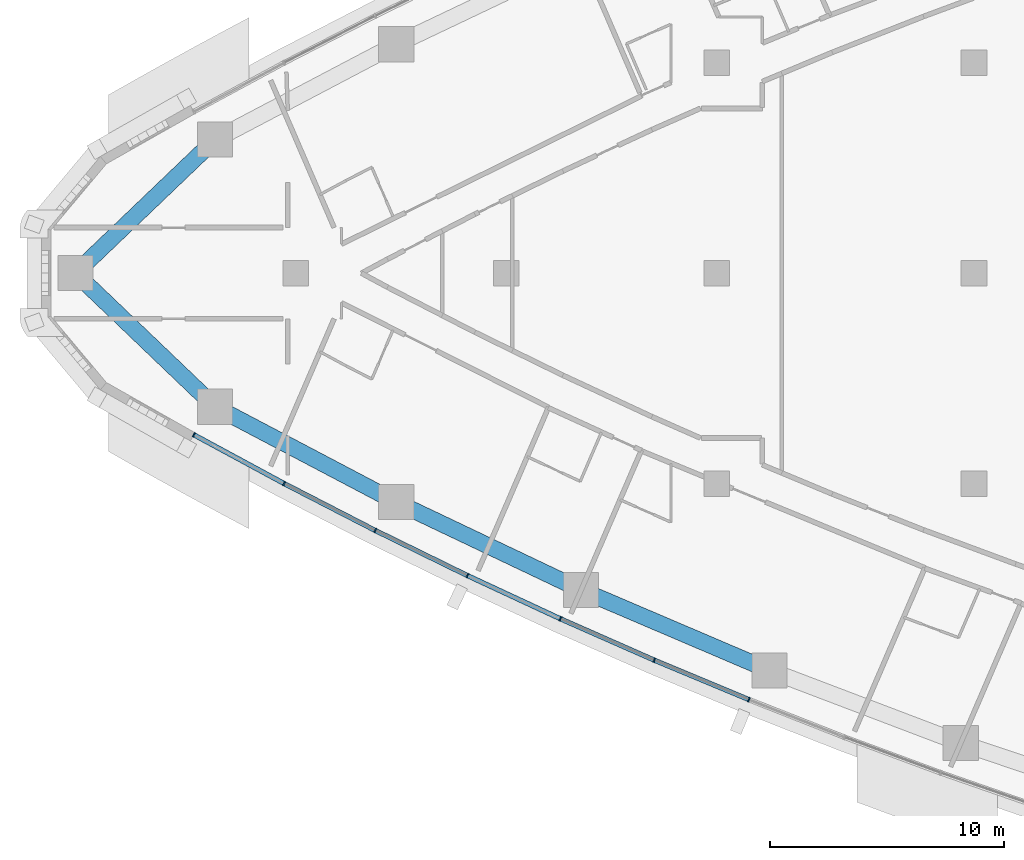
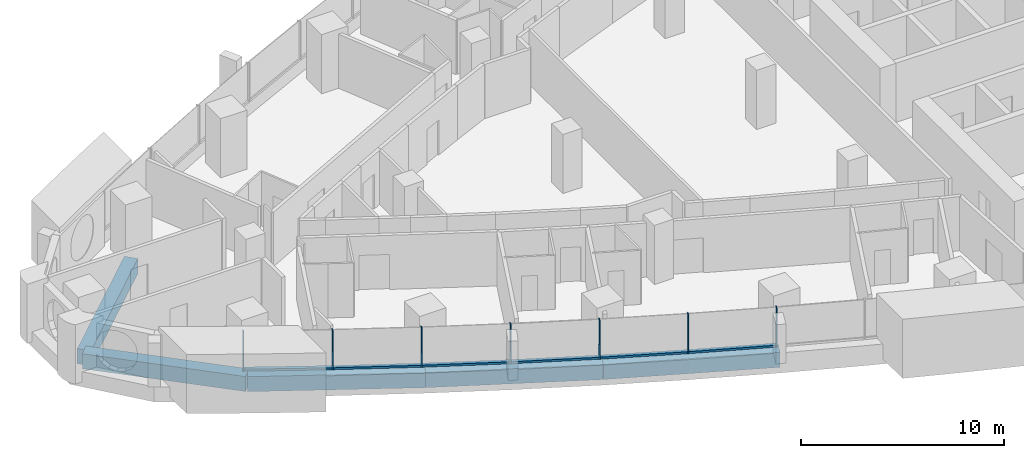
# One storey, part 2 of 17: 13 members, 5 beams, 3 elements without a shape of their own.
"""IFC4 building model written with IfcOpenShell, lengths in metres."""

from ifc_helpers import new_model, si_unit, direction, frame, origin, origin_2d, place, context, subcontext, project, spatial, rectangle, extrude, material, layer, layer_set, material_profile, profile_set, type_object, element, aggregate, save


model = new_model("IFC4")

# Units and contexts
model_context = context("Model", 3, precision=1e-05, world=origin(), true_north=direction((0.0, 1.0)))
body_context = subcontext(model_context, "Body", "Model", "MODEL_VIEW")
ifc_project = project(units=[si_unit("LENGTHUNIT", "METRE"), si_unit("AREAUNIT", "SQUARE_METRE"), si_unit("VOLUMEUNIT", "CUBIC_METRE"), si_unit("PLANEANGLEUNIT", "RADIAN"), si_unit("MASSUNIT", "GRAM", prefix="KILO")], contexts=[model_context])

# Site, building, storey
site_placement = place(None, origin())
site = spatial("IfcSite", under=ifc_project, at=site_placement, CompositionType="ELEMENT")
building_placement = place(site_placement, origin())
building = spatial("IfcBuilding", under=site, at=building_placement, Name="Ostrand Prow Hotel Tower", CompositionType="ELEMENT")
storey_placement = place(building_placement, frame((0.0, 0.0, 130.199951171875)))
storey = spatial("IfcBuildingStorey", under=building, at=storey_placement, Name="L31", CompositionType="ELEMENT", Elevation=130.199951171875)

# Beams
ifc_material_1 = material(Name="Concrete C70/85", Category="concrete")
ifc_material_profile_1 = material_profile(ifc_material_1, rectangle(XDim=0.699951171875, YDim=0.89990234375, at=origin_2d()), Name="RC 700x900")
ifc_profile_set_1 = profile_set([ifc_material_profile_1], Name="Concrete C70/85")
beam_type = type_object("IfcBeamType", Name="Edge beam 700x900 C70/85", PredefinedType="SPANDREL", material=ifc_profile_set_1)
beam_1_placement = place(storey_placement, frame((6.580078125, 0.0, -0.75), z_axis=(0.722689968521, -0.691172344209, 0.0), x_axis=(0.691172344209, 0.722689968521, 0.0)))
element("IfcBeam", 1, at=beam_1_placement, inside=storey, type_object=beam_type, Name="Edge beam P-S1", PredefinedType="SPANDREL", context=body_context, shape_type="SweptSolid", body=[
    extrude(rectangle(XDim=0.699951171875, YDim=0.89990234375, at=origin_2d()), origin(), (0.0, 0.0, 1.0), 8.26513671875),
])
for number, where, z_axis, x_axis, name in (
    (2, (12.55322265625, -5.712646484375, -0.75), (0.885016215308, -0.465560198731, 0.0), (0.465560198731, 0.885016215308, 0.0), "Edge beam S1-S2"),
    (3, (20.300048828125, -9.787841796875, -0.75), (0.903083113352, -0.429465819803, 0.0), (0.429465819803, 0.903083113352, 0.0), "Edge beam S2-S3"),
    (4, (28.205078125, -13.547119140625, -0.75), (0.919700966994, -0.392619575811, 0.0), (0.392619575811, 0.919700966994, 0.0), "Edge beam S3-S4"),
):
    element("IfcBeam", number, at=place(storey_placement, frame(where, z_axis=z_axis, x_axis=x_axis)), inside=storey, type_object=beam_type, Name=name, PredefinedType="SPANDREL", context=body_context, shape_type="SweptSolid", body=[
        extrude(rectangle(XDim=0.699951171875, YDim=0.89990234375, at=origin_2d()), origin(), (0.0, 0.0, 1.0), 8.75341796875),
    ])
beam_2_placement = place(storey_placement, frame((12.55322265625, 5.712646484375, -0.75), z_axis=(-0.722689968521, -0.691172344209, 0.0), x_axis=(0.691172344209, -0.722689968521, 0.0)))
element("IfcBeam", 5, at=beam_2_placement, inside=storey, type_object=beam_type, Name="Edge beam N6-P", PredefinedType="SPANDREL", context=body_context, shape_type="SweptSolid", body=[
    extrude(rectangle(XDim=0.699951171875, YDim=0.89990234375, at=origin_2d()), origin(), (0.0, 0.0, 1.0), 8.26513671875),
])

# Curtain wall, members
ifc_material_2 = material(Name="Insulated glass in bronze anodised frame", Category="glass")
ifc_layer = layer(ifc_material_2, 0.199951171875)
ifc_layer_set = layer_set([ifc_layer], Name="Insulated glass in bronze anodised frame")
curtain_wall_type = type_object("IfcCurtainWallType", Name="Strip curtain wall, fritted glass over bronze spandrel", PredefinedType="NOTDEFINED", material=ifc_layer_set)
curtain_wall_1_placement = place(storey_placement, origin())
curtain_wall_1 = element("IfcCurtainWall", 6, at=curtain_wall_1_placement, inside=storey, type_object=curtain_wall_type, Name="CW1 run CWS1", PredefinedType="NOTDEFINED")
ifc_material_3 = material(Name="Bronze anodised aluminium", Category="aluminium")
ifc_material_profile_2 = material_profile(ifc_material_3, rectangle(XDim=0.199951171875, YDim=0.06005859375, at=origin_2d()), Name="Mullion 60x200 bronze anodised aluminium")
ifc_profile_set_2 = profile_set([ifc_material_profile_2], Name="Bronze anodised aluminium")
member_type_1 = type_object("IfcMemberType", Name="Mullion 60x200 bronze anodised aluminium", PredefinedType="MULLION", material=ifc_profile_set_2)
member_1_placement = place(storey_placement, frame((11.64306640625, -6.909423828125, 0.900146484375), z_axis=(0.0, 0.0, 1.0), x_axis=(0.475393901316, 0.879773060847, 0.0)))
member_1 = element("IfcMember", 7, at=member_1_placement, type_object=member_type_1, Name="CW1 mullion 1", PredefinedType="MULLION", context=body_context, shape_type="SweptSolid", body=[
    extrude(rectangle(XDim=0.199951171875, YDim=0.06005859375, at=origin_2d()), origin(), (0.0, 0.0, 1.0), 2.349853515625),
])
member_2_placement = place(storey_placement, frame((15.501708984375, -8.99462890625, 0.900146484375), z_axis=(0.0, 0.0, 1.0), x_axis=(0.457619429434, 0.889148164146, 0.0)))
member_2 = element("IfcMember", 8, at=member_2_placement, type_object=member_type_1, Name="CW1 mullion 2", PredefinedType="MULLION", context=body_context, shape_type="SweptSolid", body=[
    extrude(rectangle(XDim=0.199951171875, YDim=0.06005859375, at=origin_2d()), origin(), (0.0, 0.0, 1.0), 2.349853515625),
])
member_3_placement = place(storey_placement, frame((19.401611328125, -11.001708984375, 0.900146484375), z_axis=(0.0, 0.0, 1.0), x_axis=(0.457619429434, 0.889148164146, 0.0)))
member_3 = element("IfcMember", 9, at=member_3_placement, type_object=member_type_1, Name="CW1 mullion 3", PredefinedType="MULLION", context=body_context, shape_type="SweptSolid", body=[
    extrude(rectangle(XDim=0.199951171875, YDim=0.06005859375, at=origin_2d()), origin(), (0.0, 0.0, 1.0), 2.349853515625),
])

curtain_wall_2_placement = place(storey_placement, origin())
curtain_wall_2 = element("IfcCurtainWall", 10, at=curtain_wall_2_placement, inside=storey, type_object=curtain_wall_type, Name="CW1 run CWS2", PredefinedType="NOTDEFINED")
member_4_placement = place(storey_placement, frame((23.341064453125, -12.93017578125, 0.900146484375), z_axis=(0.0, 0.0, 1.0), x_axis=(0.421521761673, 0.906818286337, 0.0)))
member_4 = element("IfcMember", 11, at=member_4_placement, type_object=member_type_1, Name="CW1 mullion 2", PredefinedType="MULLION", context=body_context, shape_type="SweptSolid", body=[
    extrude(rectangle(XDim=0.199951171875, YDim=0.06005859375, at=origin_2d()), origin(), (0.0, 0.0, 1.0), 2.349853515625),
])
member_5_placement = place(storey_placement, frame((27.318359375, -14.77880859375, 0.900146484375), z_axis=(0.0, 0.0, 1.0), x_axis=(0.421521761673, 0.906818286337, 0.0)))
member_5 = element("IfcMember", 12, at=member_5_placement, type_object=member_type_1, Name="CW1 mullion 3", PredefinedType="MULLION", context=body_context, shape_type="SweptSolid", body=[
    extrude(rectangle(XDim=0.199951171875, YDim=0.06005859375, at=origin_2d()), origin(), (0.0, 0.0, 1.0), 2.349853515625),
])

curtain_wall_3_placement = place(storey_placement, origin())
curtain_wall_3 = element("IfcCurtainWall", 13, at=curtain_wall_3_placement, inside=storey, type_object=curtain_wall_type, Name="CW1 run CWS3", PredefinedType="NOTDEFINED")
member_6_placement = place(storey_placement, frame((31.332275390625, -16.54736328125, 0.900146484375), z_axis=(0.0, 0.0, 1.0), x_axis=(0.384743220418, 0.92302364777, 0.0)))
member_6 = element("IfcMember", 14, at=member_6_placement, type_object=member_type_1, Name="CW1 mullion 2", PredefinedType="MULLION", context=body_context, shape_type="SweptSolid", body=[
    extrude(rectangle(XDim=0.199951171875, YDim=0.06005859375, at=origin_2d()), origin(), (0.0, 0.0, 1.0), 2.349853515625),
])
member_7_placement = place(storey_placement, frame((35.380615234375, -18.235107421875, 0.900146484375), z_axis=(0.0, 0.0, 1.0), x_axis=(0.384743220418, 0.92302364777, 0.0)))
member_7 = element("IfcMember", 15, at=member_7_placement, type_object=member_type_1, Name="CW1 mullion 3", PredefinedType="MULLION", context=body_context, shape_type="SweptSolid", body=[
    extrude(rectangle(XDim=0.199951171875, YDim=0.06005859375, at=origin_2d()), origin(), (0.0, 0.0, 1.0), 2.349853515625),
])

# Member
ifc_material_4 = material(Name="Bronze anodised aluminium", Category="aluminium")
ifc_material_profile_3 = material_profile(ifc_material_4, rectangle(XDim=0.199951171875, YDim=0.1201171875, at=origin_2d()), Name="Transom 120x200 bronze anodised aluminium")
ifc_profile_set_3 = profile_set([ifc_material_profile_3], Name="Bronze anodised aluminium")
member_type_2 = type_object("IfcMemberType", Name="Transom 120x200 bronze anodised aluminium", PredefinedType="USERDEFINED", material=ifc_profile_set_3)
member_8_placement = place(storey_placement, frame((11.66943359375, -6.923583984375, 0.9599609375), z_axis=(0.879765206929, -0.475408435639, 0.0), x_axis=(0.475408435639, 0.879765206929, 0.0)))
member_8 = element("IfcMember", 16, at=member_8_placement, type_object=member_type_2, Name="CW1 transom 1.1", ObjectType="TRANSOM", PredefinedType="USERDEFINED", context=body_context, shape_type="SweptSolid", body=[
    extrude(rectangle(XDim=0.199951171875, YDim=0.1201171875, at=origin_2d()), origin(), (0.0, 0.0, 1.0), 4.326171875),
])

member_9_placement = place(storey_placement, frame((15.528564453125, -9.00830078125, 0.9599609375), z_axis=(0.88914020052, -0.457634902318, 0.0), x_axis=(0.457634902318, 0.88914020052, 0.0)))
member_9 = element("IfcMember", 17, at=member_9_placement, type_object=member_type_2, Name="CW1 transom 2.1", ObjectType="TRANSOM", PredefinedType="USERDEFINED", context=body_context, shape_type="SweptSolid", body=[
    extrude(rectangle(XDim=0.199951171875, YDim=0.1201171875, at=origin_2d()), origin(), (0.0, 0.0, 1.0), 4.325927734375),
])

aggregate(curtain_wall_1, [member_1, member_2, member_3, member_8, member_9])

member_10_placement = place(storey_placement, frame((19.4287109375, -11.014892578125, 0.9599609375), z_axis=(0.89815413626, -0.439680733623, 0.0), x_axis=(0.439680733623, 0.89815413626, 0.0)))
member_10 = element("IfcMember", 18, at=member_10_placement, type_object=member_type_2, Name="CW1 transom 1.1", ObjectType="TRANSOM", PredefinedType="USERDEFINED", context=body_context, shape_type="SweptSolid", body=[
    extrude(rectangle(XDim=0.199951171875, YDim=0.1201171875, at=origin_2d()), origin(), (0.0, 0.0, 1.0), 4.326171875),
])

member_11_placement = place(storey_placement, frame((23.368408203125, -12.942626953125, 0.9599609375), z_axis=(0.906796377468, -0.421568890944, 0.0), x_axis=(0.421568890944, 0.906796377468, 0.0)))
member_11 = element("IfcMember", 19, at=member_11_placement, type_object=member_type_2, Name="CW1 transom 2.1", ObjectType="TRANSOM", PredefinedType="USERDEFINED", context=body_context, shape_type="SweptSolid", body=[
    extrude(rectangle(XDim=0.199951171875, YDim=0.1201171875, at=origin_2d()), origin(), (0.0, 0.0, 1.0), 4.326171875),
])

aggregate(curtain_wall_2, [member_4, member_5, member_10, member_11])

member_12_placement = place(storey_placement, frame((27.345947265625, -14.791015625, 0.9599609375), z_axis=(0.91509853977, -0.403230284715, 0.0), x_axis=(0.403230284715, 0.91509853977, 0.0)))
member_12 = element("IfcMember", 20, at=member_12_placement, type_object=member_type_2, Name="CW1 transom 1.1", ObjectType="TRANSOM", PredefinedType="USERDEFINED", context=body_context, shape_type="SweptSolid", body=[
    extrude(rectangle(XDim=0.199951171875, YDim=0.1201171875, at=origin_2d()), origin(), (0.0, 0.0, 1.0), 4.325927734375),
])

member_13_placement = place(storey_placement, frame((31.35986328125, -16.55908203125, 0.9599609375), z_axis=(0.923028493412, -0.384731595206, 0.0), x_axis=(0.384731595206, 0.923028493412, 0.0)))
member_13 = element("IfcMember", 21, at=member_13_placement, type_object=member_type_2, Name="CW1 transom 2.1", ObjectType="TRANSOM", PredefinedType="USERDEFINED", context=body_context, shape_type="SweptSolid", body=[
    extrude(rectangle(XDim=0.199951171875, YDim=0.1201171875, at=origin_2d()), origin(), (0.0, 0.0, 1.0), 4.325927734375),
])

aggregate(curtain_wall_3, [member_6, member_7, member_12, member_13])

save(model, "model.ifc")
